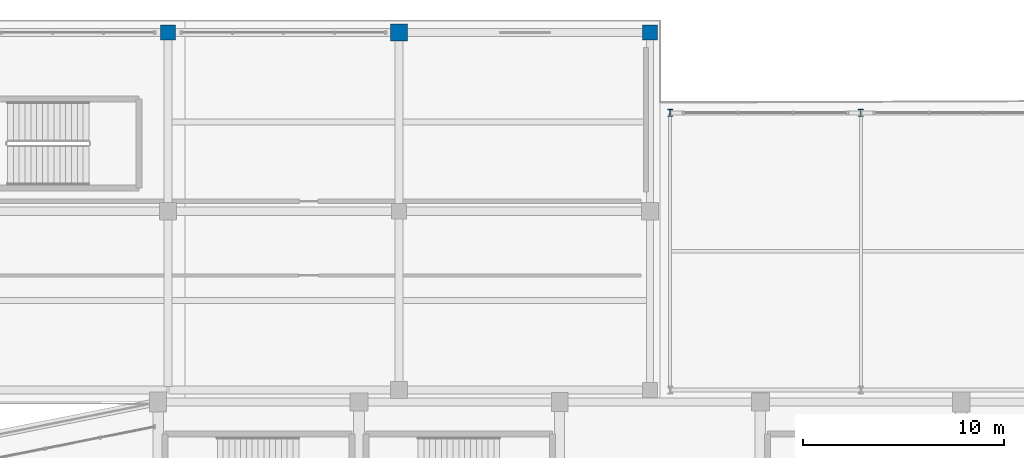
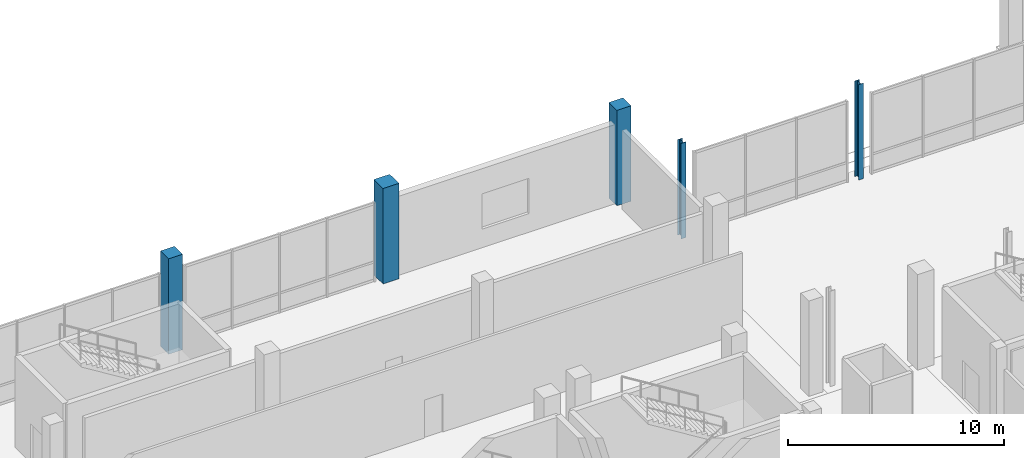
# One storey, part 8 of 114: 5 columns.
"""IFC4 building model written with IfcOpenShell, lengths in metres."""

import ifcopenshell
import ifcopenshell.guid

model = None  # the IFC model being written
_history = None  # IfcOwnerHistory: only IFC2X3 demands one
_inside = {}  # id of a spatial element -> (the spatial element, [elements in it])
_under = {}  # id of a project, library or spatial element -> (it, [spatial elements below it])
_declared = {}  # id of a project -> (the project, [libraries it declares])
_typed = {}  # id of a type object -> (the type object, [elements of that type])
_made_of = {}  # id of a material, layer set ... -> (it, [elements and type objects made of it])


def new_model(schema):
    """Start an empty IFC model of exactly this schema.

    Asked for "IFC4X3", IfcOpenShell would pick the latest addendum, in which some entities
    have other attributes; the version numbers below select the first issue.
    IFC2X3 requires an IfcOwnerHistory on every rooted entity: one is made here for all.
    """
    global model, _history
    if schema == "IFC4X3":
        model = ifcopenshell.file(schema_version=(4, 3, 0, 0))
    else:
        model = ifcopenshell.file(schema=schema)
    _inside.clear()
    _under.clear()
    _declared.clear()
    _typed.clear()
    _made_of.clear()
    _history = None
    if model.schema == "IFC2X3":
        org = make("IfcOrganization", Name="unknown")
        user = make(
            "IfcPersonAndOrganization",
            ThePerson=make("IfcPerson", FamilyName="unknown"),
            TheOrganization=org,
        )
        app = make(
            "IfcApplication",
            ApplicationDeveloper=org,
            Version="unknown",
            ApplicationFullName="unknown",
            ApplicationIdentifier="unknown",
        )
        _history = make(
            "IfcOwnerHistory",
            OwningUser=user,
            OwningApplication=app,
            ChangeAction="ADDED",
            CreationDate=0,
        )
    return model


def make(cls, **values):
    """One entity of the class cls with the attributes given. An attribute that is None is left unset."""
    return model.create_entity(
        cls, **{name: value for name, value in values.items() if value is not None}
    )


def rooted(cls, **values):
    """An entity with a GlobalId (a new one), such as an element, a storey or a relation."""
    return make(cls, GlobalId=ifcopenshell.guid.new(), OwnerHistory=_history, **values)


def si_unit(unit_type, name, prefix=None):
    """IfcSIUnit, for example si_unit("LENGTHUNIT", "METRE", prefix="MILLI")."""
    return make("IfcSIUnit", UnitType=unit_type, Prefix=prefix, Name=name)


def assignment(units):
    """IfcUnitAssignment: the units of a project."""
    return None if units is None else make("IfcUnitAssignment", Units=units)


def point(xyz):
    """IfcCartesianPoint."""
    return None if xyz is None else make("IfcCartesianPoint", Coordinates=xyz)


def direction(xyz):
    """IfcDirection."""
    return None if xyz is None else make("IfcDirection", DirectionRatios=xyz)


def frame(location, z_axis=None, x_axis=None):
    """IfcAxis2Placement3D, a coordinate frame: its origin and axes. An axis left out is left unset."""
    return make(
        "IfcAxis2Placement3D",
        Location=point(location),
        Axis=direction(z_axis),
        RefDirection=direction(x_axis),
    )


def frame_2d(location, x_axis=None):
    """IfcAxis2Placement2D, a coordinate frame in the plane: its origin and x axis."""
    return make(
        "IfcAxis2Placement2D", Location=point(location), RefDirection=direction(x_axis)
    )


def origin():
    """The frame at (0, 0, 0) with its axes left unset."""
    return frame((0.0, 0.0, 0.0))


def origin_2d():
    """The frame at (0, 0) in the plane with its x axis left unset."""
    return frame_2d((0.0, 0.0))


def place(relative_to, where):
    """IfcLocalPlacement: puts the frame where relative to a parent placement (None: the world)."""
    return make(
        "IfcLocalPlacement", PlacementRelTo=relative_to, RelativePlacement=where
    )


def context(
    kind, dimensions, precision=None, world=None, true_north=None, identifier=None
):
    """IfcGeometricRepresentationContext, for example the 3D "Model" context."""
    return make(
        "IfcGeometricRepresentationContext",
        ContextIdentifier=identifier,
        ContextType=kind,
        CoordinateSpaceDimension=dimensions,
        Precision=precision,
        WorldCoordinateSystem=world,
        TrueNorth=true_north,
    )


def subcontext(parent, identifier, kind, view, scale=None):
    """IfcGeometricRepresentationSubContext, for example "Body" below "Model"."""
    return make(
        "IfcGeometricRepresentationSubContext",
        ContextIdentifier=identifier,
        ContextType=kind,
        ParentContext=parent,
        TargetScale=scale,
        TargetView=view,
    )


def project(units=None, contexts=None):
    """IfcProject with its units and contexts."""
    return rooted(
        "IfcProject",
        Name="project",
        RepresentationContexts=contexts,
        UnitsInContext=assignment(units),
    )


def spatial(cls, under=None, at=None, **own):
    """A site, building, storey or space (cls), placed at a placement, below another one or the project."""
    s = rooted(cls, ObjectPlacement=at, **own)
    if under is not None:
        _under.setdefault(under.id(), (under, []))[1].append(s)
    return s


def profile(cls, at=None, kind="AREA", **sizes):
    """A parametric profile (cls). Its sizes go by their IFC names, for example OverallWidth=200.0."""
    return make(cls, ProfileType=kind, Position=at, **sizes)


def rectangle(**sizes):
    """IfcRectangleProfileDef."""
    return profile("IfcRectangleProfileDef", **sizes)


def i_section(**sizes):
    """IfcIShapeProfileDef."""
    return profile("IfcIShapeProfileDef", **sizes)


def extrude(swept, where, along, depth):
    """IfcExtrudedAreaSolid: the profile swept, set in the frame where, extruded along a direction by depth."""
    return make(
        "IfcExtrudedAreaSolid",
        SweptArea=swept,
        Position=where,
        ExtrudedDirection=direction(along),
        Depth=depth,
    )


def shape(context_of_items, identifier, shape_type, items):
    """IfcShapeRepresentation: the items that make up one representation, for example the "Body"."""
    return make(
        "IfcShapeRepresentation",
        ContextOfItems=context_of_items,
        RepresentationIdentifier=identifier,
        RepresentationType=shape_type,
        Items=items,
    )


def material(Name=None, Category=None):
    """IfcMaterial."""
    return make("IfcMaterial", Name=Name, Category=Category)


def material_profile(
    of_material, cross_section, Name=None, Category=None, Priority=None
):
    """IfcMaterialProfile: a cross section and its material."""
    return make(
        "IfcMaterialProfile",
        Name=Name,
        Material=of_material,
        Profile=cross_section,
        Priority=Priority,
        Category=Category,
    )


def profile_set(profiles, Name=None, composite=None):
    """IfcMaterialProfileSet."""
    return make(
        "IfcMaterialProfileSet",
        Name=Name,
        MaterialProfiles=profiles,
        CompositeProfile=composite,
    )


def made_of(thing, what):
    """Note that an element or type object is made of a material, layer set ...; save() writes the relation."""
    if what is not None:
        _made_of.setdefault(what.id(), (what, []))[1].append(thing)
    return thing


def type_object(cls, material=None, **own):
    """A type object (cls), such as IfcWallType, which elements share."""
    return made_of(rooted(cls, **own), material)


def element(
    cls,
    number,
    at=None,
    inside=None,
    cuts=None,
    type_object=None,
    material=None,
    context=None,
    identifier="Body",
    shape_type=None,
    held_by="IfcProductDefinitionShape",
    body=None,
    shapes=None,
    **own,
):
    """One element of the class cls, such as IfcWall. Its Tag is "e" and its number.

    at: its placement. inside: the storey or other place that contains it. cuts: it is an
    opening in that element (IfcRelVoidsElement). A single representation is given by context,
    identifier, shape_type and body (its items); several are given by shapes. held_by: the class
    of the entity that holds the representations. save() writes the other relations.
    """
    e = rooted(cls, Tag="e%d" % number, ObjectPlacement=at, **own)
    if body is not None:
        shapes = [shape(context, identifier, shape_type, body)]
    if shapes is not None:
        e.Representation = make(held_by, Representations=shapes)
    if inside is not None:
        _inside.setdefault(inside.id(), (inside, []))[1].append(e)
    if cuts is not None:
        rooted(
            "IfcRelVoidsElement", RelatingBuildingElement=cuts, RelatedOpeningElement=e
        )
    if type_object is not None:
        _typed.setdefault(type_object.id(), (type_object, []))[1].append(e)
    return made_of(e, material)


def aggregate(whole, parts):
    """IfcRelAggregates: a whole, such as a stair, and the parts it consists of."""
    return rooted("IfcRelAggregates", RelatingObject=whole, RelatedObjects=parts)


def save(model, path):
    """Write the relations noted so far, then the file.

    IfcRelAggregates (storeys below a building ...), IfcRelContainedInSpatialStructure (elements
    in a storey), IfcRelDefinesByType, IfcRelAssociatesMaterial and IfcRelDeclares: one each for
    every whole, place, type object, material and project.
    """
    for whole, parts in _under.values():
        aggregate(whole, parts)
    for where, things in _inside.values():
        rooted(
            "IfcRelContainedInSpatialStructure",
            RelatedElements=things,
            RelatingStructure=where,
        )
    for kind, things in _typed.values():
        rooted("IfcRelDefinesByType", RelatedObjects=things, RelatingType=kind)
    for what, things in _made_of.values():
        rooted("IfcRelAssociatesMaterial", RelatedObjects=things, RelatingMaterial=what)
    for by, libraries in _declared.values():
        rooted("IfcRelDeclares", RelatingContext=by, RelatedDefinitions=libraries)
    model.write(path)


model = new_model("IFC4")

# Units and contexts
model_context = context("Model", 3, precision=1e-05, world=origin(), true_north=direction((0.0, 1.0)))
body_context = subcontext(model_context, "Body", "Model", "MODEL_VIEW")
ifc_project = project(units=[si_unit("LENGTHUNIT", "METRE"), si_unit("AREAUNIT", "SQUARE_METRE"), si_unit("VOLUMEUNIT", "CUBIC_METRE"), si_unit("PLANEANGLEUNIT", "RADIAN"), si_unit("MASSUNIT", "GRAM", prefix="KILO")], contexts=[model_context])

# Site, building, storey
site_placement = place(None, origin())
site = spatial("IfcSite", under=ifc_project, at=site_placement, CompositionType="ELEMENT")
building_placement = place(site_placement, origin())
building = spatial("IfcBuilding", under=site, at=building_placement, Name="Candeia Ridge Stadium", CompositionType="ELEMENT")
storey_placement = place(building_placement, frame((0.0, 0.0, 5.39990234375)))
storey = spatial("IfcBuildingStorey", under=building, at=storey_placement, Name="L01", CompositionType="ELEMENT", Elevation=5.39990234375)

# Columns
ifc_material_1 = material(Name="Steel ASTM A572 Grade 50", Category="steel")
ifc_material_profile_1 = material_profile(ifc_material_1, i_section(OverallWidth=0.257080078125, OverallDepth=0.363037109375, WebThickness=0.012939453125, FlangeThickness=0.021728515625, FilletRadius=0.014892578125, at=origin_2d()), Name="W360x122", Category="steel")
ifc_profile_set_1 = profile_set([ifc_material_profile_1], Name="Steel ASTM A572 Grade 50")
column_type_1 = type_object("IfcColumnType", Name="Gate Steel Column W360x122", PredefinedType="COLUMN", material=ifc_profile_set_1)
for number, where, z_axis, x_axis, name in (
    (1, (96.5, 161.39990234375, 0.0), (0.0, 0.0, 1.0), (1.0, 0.0, 0.0), "Structural column NG-00-01 L01"),
    (2, (106.0, 161.39990234375, 0.0), (0.0, 0.0, 1.0), (1.0, 0.0, 0.0), "Structural column NG-01-01 L01"),
):
    element("IfcColumn", number, at=place(storey_placement, frame(where, z_axis=z_axis, x_axis=x_axis)), inside=storey, type_object=column_type_1, Name=name, PredefinedType="COLUMN", context=body_context, shape_type="SweptSolid", body=[
        extrude(i_section(OverallWidth=0.257080078125, OverallDepth=0.363037109375, WebThickness=0.012939453125, FlangeThickness=0.021728515625, FilletRadius=0.014892578125, at=origin_2d()), origin(), (0.0, 0.0, 1.0), 5.400146484375),
    ])
ifc_material_2 = material(Name="Concrete C40/50", Category="concrete")
ifc_material_profile_2 = material_profile(ifc_material_2, rectangle(XDim=0.75, YDim=0.75, at=origin_2d()), Name="RC750x750", Category="concrete")
ifc_profile_set_2 = profile_set([ifc_material_profile_2], Name="Concrete C40/50")
column_type_2 = type_object("IfcColumnType", Name="Reinforced Concrete Column RC750x750", PredefinedType="COLUMN", material=ifc_profile_set_2)
for number, where, z_axis, x_axis, name in (
    (3, (71.5, 165.39990234375, 0.0), (0.0, 0.0, 1.0), (1.0, 0.0, 0.0), "Structural column NWW-04-02 L01"),
    (4, (95.5, 165.39990234375, 0.0), (0.0, 0.0, 1.0), (1.0, 0.0, 0.0), "Structural column NWW-06-02 L01"),
):
    element("IfcColumn", number, at=place(storey_placement, frame(where, z_axis=z_axis, x_axis=x_axis)), inside=storey, type_object=column_type_2, Name=name, PredefinedType="COLUMN", context=body_context, shape_type="SweptSolid", body=[
        extrude(rectangle(XDim=0.75, YDim=0.75, at=origin_2d()), origin(), (0.0, 0.0, 1.0), 5.400146484375),
    ])
ifc_material_3 = material(Name="Concrete C45/55", Category="concrete")
ifc_material_profile_3 = material_profile(ifc_material_3, rectangle(XDim=0.85009765625, YDim=0.85009765625, at=origin_2d()), Name="RC850x850", Category="concrete")
ifc_profile_set_3 = profile_set([ifc_material_profile_3], Name="Concrete C45/55")
column_type_3 = type_object("IfcColumnType", Name="Reinforced Concrete Column RC850x850", PredefinedType="COLUMN", material=ifc_profile_set_3)
column_placement = place(storey_placement, frame((83.0, 165.39990234375, 0.0), z_axis=(0.0, 0.0, 1.0), x_axis=(1.0, 0.0, 0.0)))
element("IfcColumn", 5, at=column_placement, inside=storey, type_object=column_type_3, Name="Structural column NWW-05-02 L01", PredefinedType="COLUMN", context=body_context, shape_type="SweptSolid", body=[
    extrude(rectangle(XDim=0.85009765625, YDim=0.85009765625, at=origin_2d()), origin(), (0.0, 0.0, 1.0), 5.400146484375),
])

save(model, "model.ifc")
